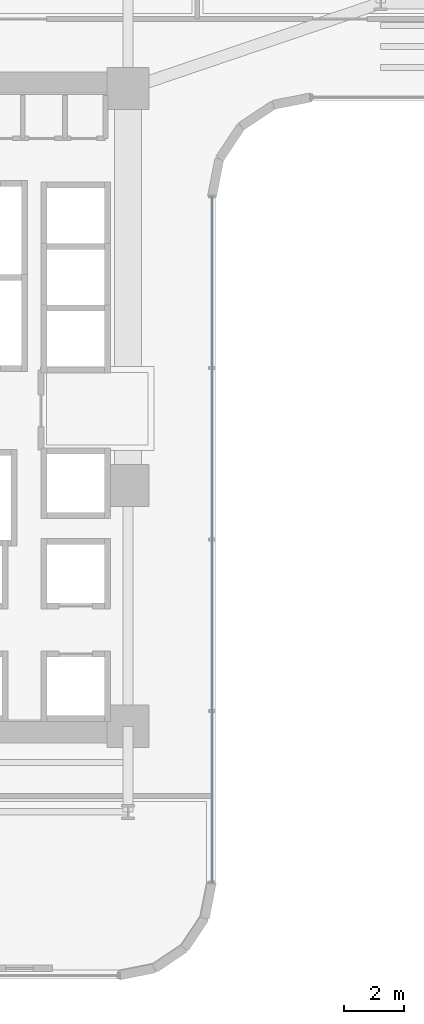
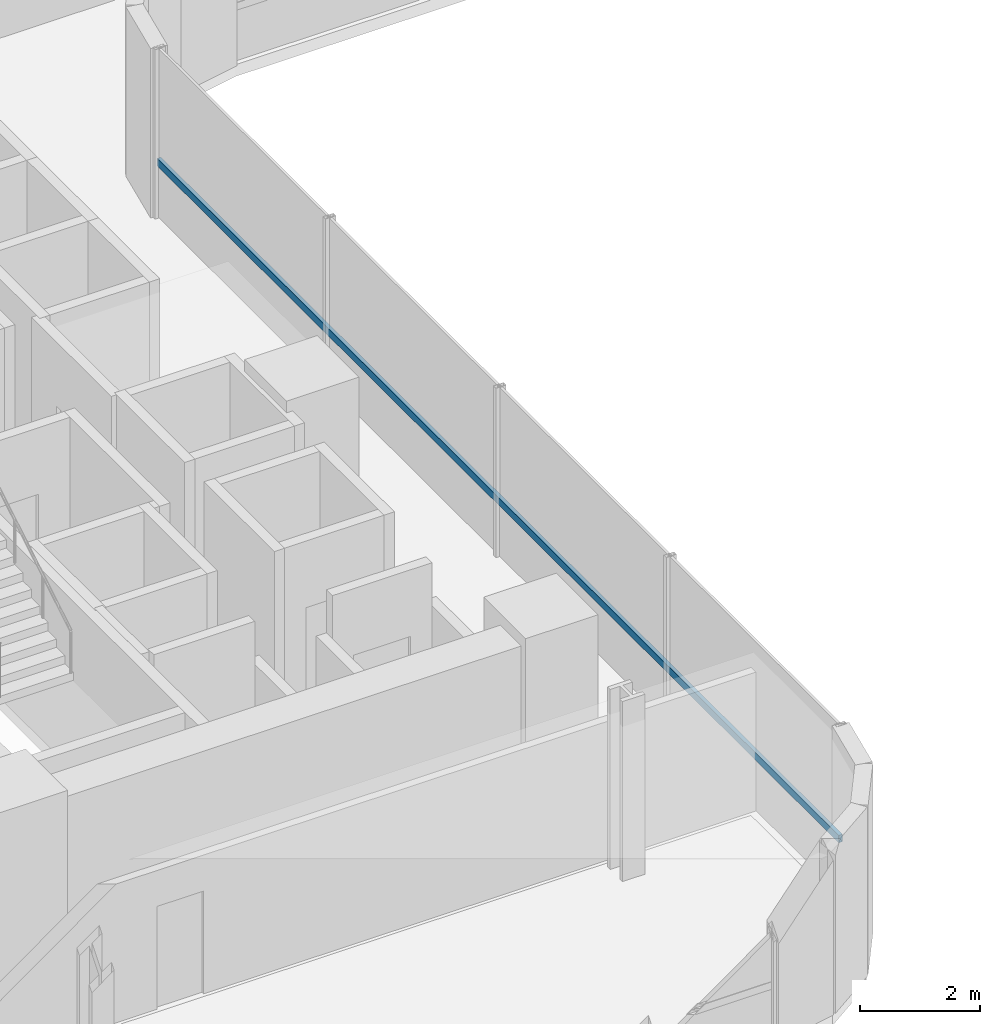
# One storey, part 7 of 40: 1 member, 1 element without a shape of its own.
"""IFC4 building model written with IfcOpenShell, lengths in metres."""

from ifc_helpers import new_model, si_unit, direction, frame, origin, origin_2d, place, context, subcontext, project, spatial, hollow_rectangle, extrude, source, transform, mapped, material, material_profile, profile_set, type_object, element, aggregate, save


model = new_model("IFC4")

# Units and contexts
model_context = context("Model", 3, precision=1e-05, world=origin(), true_north=direction((0.0, 1.0)))
body_context = subcontext(model_context, "Body", "Model", "MODEL_VIEW")
ifc_project = project(units=[si_unit("LENGTHUNIT", "METRE"), si_unit("AREAUNIT", "SQUARE_METRE"), si_unit("VOLUMEUNIT", "CUBIC_METRE"), si_unit("PLANEANGLEUNIT", "RADIAN"), si_unit("MASSUNIT", "GRAM", prefix="KILO")], contexts=[model_context])

# Site, building, storey
site_placement = place(None, origin())
site = spatial("IfcSite", under=ifc_project, at=site_placement, CompositionType="ELEMENT")
building_placement = place(site_placement, origin())
building = spatial("IfcBuilding", under=site, at=building_placement, Name="Valdorenza Pilgrim Sanctuary Tower", CompositionType="ELEMENT")
storey_placement = place(building_placement, frame((0.0, 0.0, 48.199951171875)))
storey = spatial("IfcBuildingStorey", under=building, at=storey_placement, Name="L11", CompositionType="ELEMENT", Elevation=48.199951171875)

# Curtain wall, member
ifc_material_1 = material(Name="Curtain-wall IGU glazing", Category="glass")
curtain_wall_type = type_object("IfcCurtainWallType", Name="CW-SYS-02", PredefinedType="NOTDEFINED", material=ifc_material_1)
curtain_wall_placement = place(storey_placement, origin())
curtain_wall = element("IfcCurtainWall", 1, at=curtain_wall_placement, inside=storey, type_object=curtain_wall_type, Name="L11 Curtain Wall CW-L11-1-41", PredefinedType="NOTDEFINED")
ifc_material_2 = material(Name="Anodised aluminium AW-6060", Category="aluminium")
ifc_material_profile = material_profile(ifc_material_2, hollow_rectangle(XDim=0.074951171875, YDim=0.14990234375, WallThickness=0.00390625, at=origin_2d()), Name="ALU-T 150x75x4")
ifc_profile_set = profile_set([ifc_material_profile], Name="Anodised aluminium AW-6060")
member_type = type_object("IfcMemberType", Name="CW-TRN-02", PredefinedType="USERDEFINED", material=ifc_profile_set)
shared_shape = source(origin(), body_context, "Body", "SweptSolid", [
    extrude(hollow_rectangle(XDim=0.074951171875, YDim=0.14990234375, WallThickness=0.00390625, at=origin_2d()), origin(), (0.0, 0.0, 1.0), 22.800048828125),
])
member_placement = place(storey_placement, frame((-9.610107421875, 7.0107421875, 1.1201171875), z_axis=(0.0, -1.0, 0.0), x_axis=(1.0, 0.0, 0.0)))
member = element("IfcMember", 2, at=member_placement, type_object=member_type, Name="CW-L11-1-41 Transom 1", ObjectType="TRANSOM", PredefinedType="USERDEFINED", context=body_context, shape_type="MappedRepresentation", body=[
    mapped(shared_shape, transform((0.0, 0.0, 0.0), x_axis=(1.0, 0.0, 0.0), y_axis=(0.0, 1.0, 0.0), z_axis=(0.0, 0.0, 1.0), scale=1.0)),
])
aggregate(curtain_wall, [member])

save(model, "model.ifc")
